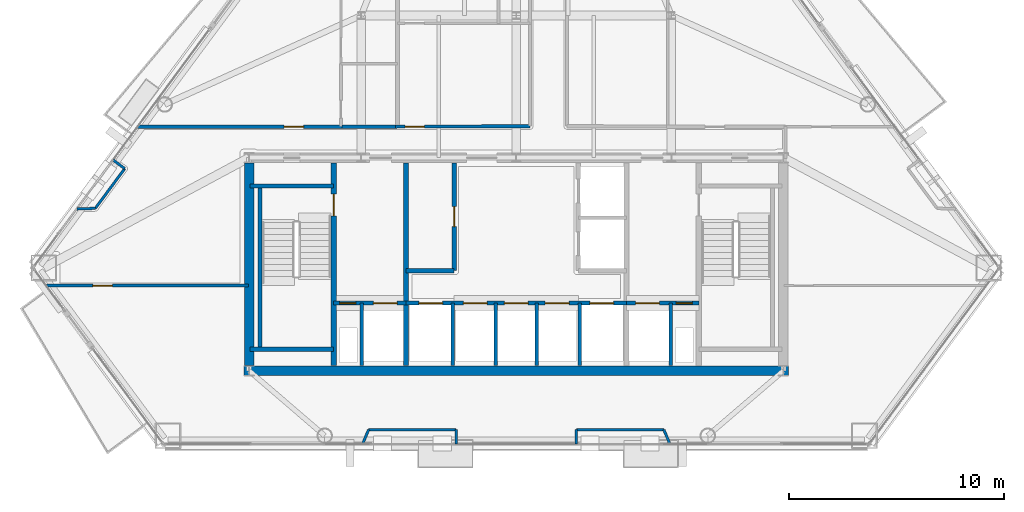
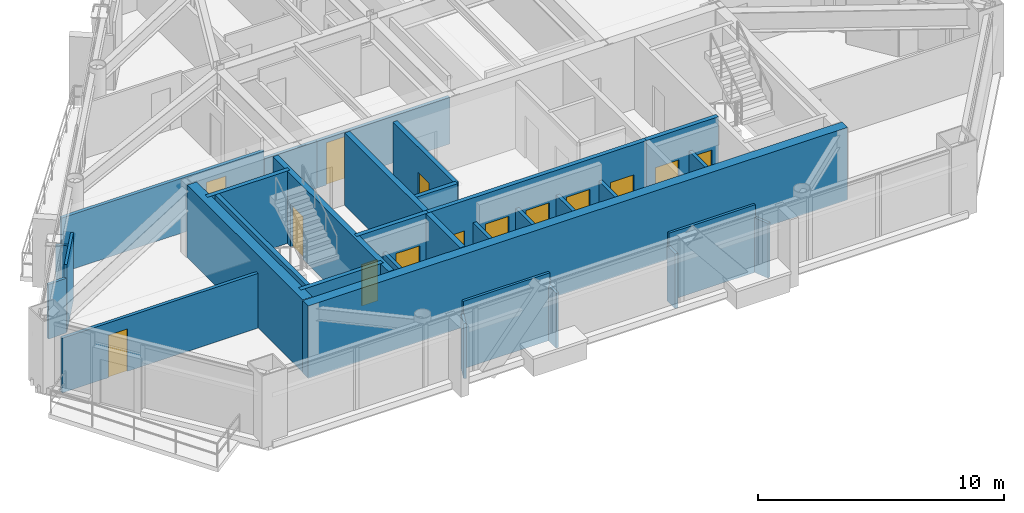
# One storey, part 8 of 13: 31 walls, 14 doors, 14 openings.
"""IFC4 building model written with IfcOpenShell, lengths in metres."""

from ifc_helpers import new_model, si_unit, direction, frame, frame_2d, origin, place, context, subcontext, project, spatial, rectangle, extrude, material, layer, layer_set, type_object, element, fill, save


model = new_model("IFC4")

# Units and contexts
model_context = context("Model", 3, precision=1e-05, world=origin(), true_north=direction((0.0, 1.0)))
body_context = subcontext(model_context, "Body", "Model", "MODEL_VIEW")
ifc_project = project(units=[si_unit("LENGTHUNIT", "METRE"), si_unit("AREAUNIT", "SQUARE_METRE"), si_unit("VOLUMEUNIT", "CUBIC_METRE"), si_unit("PLANEANGLEUNIT", "RADIAN"), si_unit("MASSUNIT", "GRAM", prefix="KILO")], contexts=[model_context])

# Site, building, storey
site_placement = place(None, origin())
site = spatial("IfcSite", under=ifc_project, at=site_placement, CompositionType="ELEMENT")
building_placement = place(site_placement, origin())
building = spatial("IfcBuilding", under=site, at=building_placement, Name="Talgorran Terracotta Tower", CompositionType="ELEMENT")
storey_placement = place(building_placement, frame((0.0, 0.0, 106.800048828125)))
storey = spatial("IfcBuildingStorey", under=building, at=storey_placement, Name="L27", CompositionType="ELEMENT", Elevation=106.800048828125)

# Walls
ifc_material_1 = material(Name="Concrete C50/60", Category="concrete")
ifc_layer_1 = layer(ifc_material_1, 0.199951171875, Name="WT_CORE_200")
ifc_layer_set_1 = layer_set([ifc_layer_1], Name="Concrete C50/60")
wall_type_1 = type_object("IfcWallType", Name="WT_CORE_200", PredefinedType="SOLIDWALL", material=ifc_layer_set_1)
for number, where, z_axis, x_axis, name in (
    (1, (-12.35009765625, -5.52001953125, 0.0), (0.0, 0.0, 1.0), (1.0, 0.0, 0.0), "WL-L27-CW-ST1-N"),
    (2, (-12.35009765625, -13.10009765625, 0.0), (0.0, 0.0, 1.0), (1.0, 0.0, 0.0), "WL-L27-CW-ST1-S"),
):
    element("IfcWall", number, at=place(storey_placement, frame(where, z_axis=z_axis, x_axis=x_axis)), inside=storey, type_object=wall_type_1, Name=name, PredefinedType="SOLIDWALL", context=body_context, shape_type="SweptSolid", body=[
        extrude(rectangle(XDim=3.8701171875, YDim=0.199951171875, at=frame_2d((1.93505859375, 0.0))), origin(), (0.0, 0.0, 1.0), 3.599853515625),
    ])
wall_1_placement = place(storey_placement, frame((-11.89990234375, -13.10009765625, 0.0), z_axis=(0.0, 0.0, 1.0), x_axis=(0.0, 1.0, 0.0)))
element("IfcWall", 3, at=wall_1_placement, inside=storey, type_object=wall_type_1, Name="WL-L27-CW-ST1-W", PredefinedType="SOLIDWALL", context=body_context, shape_type="SweptSolid", body=[
    extrude(rectangle(XDim=7.580078125, YDim=0.199951171875, at=frame_2d((3.7900390625, 0.0))), origin(), (0.0, 0.0, 1.0), 3.599853515625),
])

# Wall, openings, doors
wall_2_placement = place(storey_placement, frame((-8.47998046875, -10.949951171875, 0.0), z_axis=(0.0, 0.0, 1.0), x_axis=(1.0, 0.0, 0.0)))
wall_2 = element("IfcWall", 4, at=wall_2_placement, inside=storey, type_object=wall_type_1, Name="WL-L27-CW-H-SBW", PredefinedType="SOLIDWALL", context=body_context, shape_type="SweptSolid", body=[
    extrude(rectangle(XDim=3.35986328125, YDim=0.199951171875, at=frame_2d((1.679931640625, 0.0))), origin(), (0.0, 0.0, 1.0), 3.599853515625),
])
opening_1_placement = place(wall_2_placement, frame((0.280029296875, 0.0, 0.0)))
opening_1 = element("IfcOpeningElement", 5, at=opening_1_placement, cuts=wall_2, Name="Opening DR-RSW", PredefinedType="OPENING", context=body_context, shape_type="SweptSolid", body=[
    extrude(rectangle(XDim=0.756, YDim=2.054048828125, at=frame_2d((0.375, 1.027099609375))), frame((0.0, 0.10986328125, 0.0), z_axis=(0.0, -1.0, 0.0), x_axis=(1.0, 0.0, 0.0)), (0.0, 0.0, 1.0), 0.219970703125),
])
opening_2_placement = place(wall_2_placement, frame((1.85009765625, 0.0, 0.0)))
opening_2 = element("IfcOpeningElement", 6, at=opening_2_placement, cuts=wall_2, Name="Opening LD-FFL1", PredefinedType="OPENING", context=body_context, shape_type="SweptSolid", body=[
    extrude(rectangle(XDim=1.10609765625, YDim=2.10409765625, at=frame_2d((0.550048828125, 1.052001953125))), frame((0.0, 0.10986328125, 0.0), z_axis=(0.0, -1.0, 0.0), x_axis=(1.0, 0.0, 0.0)), (0.0, 0.0, 1.0), 0.219970703125),
])
ifc_material_2 = material(Name="Brushed Stainless Steel Grade 304", Category="steel")
door_type_1 = type_object("IfcDoorType", Name="DT_LIFT_LD1100", OperationType="DOUBLE_DOOR_SLIDING", PredefinedType="DOOR", material=ifc_material_2)
door_1_placement = place(opening_2_placement, origin())
door_1 = element("IfcDoor", 7, at=door_1_placement, inside=storey, type_object=door_type_1, Name="L27 Lift Landing Door LD-FFL1", OperationType="DOUBLE_DOOR_SLIDING", OverallHeight=2.10009765625, OverallWidth=1.10009765625, PredefinedType="DOOR", context=body_context, shape_type="SweptSolid", body=[
    extrude(rectangle(XDim=1.10009765625, YDim=2.10009765625, at=frame_2d((0.550048828125, 1.050048828125))), frame((0.0, 0.02490234375, 0.0), z_axis=(0.0, -1.0, 0.0), x_axis=(1.0, 0.0, 0.0)), (0.0, 0.0, 1.0), 0.050048828125),
])
fill(opening_2, door_1)
ifc_material_3 = material(Name="Fire-Rated Pressed Steel", Category="steel")
door_type_2 = type_object("IfcDoorType", Name="DT_RISER_750", OperationType="NOTDEFINED", PredefinedType="DOOR", material=ifc_material_3)
door_2_placement = place(opening_1_placement, origin())
door_2 = element("IfcDoor", 8, at=door_2_placement, inside=storey, type_object=door_type_2, Name="DR-RSW", OperationType="SINGLE_SWING_LEFT", OverallHeight=2.050048828125, OverallWidth=0.75, PredefinedType="DOOR", context=body_context, shape_type="SweptSolid", body=[
    extrude(rectangle(XDim=0.75, YDim=2.050048828125, at=frame_2d((0.375, 1.02490234375))), frame((0.0, 0.02490234375, 0.0), z_axis=(0.0, -1.0, 0.0), x_axis=(1.0, 0.0, 0.0)), (0.0, 0.0, 1.0), 0.050048828125),
])
fill(opening_1, door_2)

wall_3_placement = place(storey_placement, frame((-5.1201171875, -10.949951171875, 0.0), z_axis=(0.0, 0.0, 1.0), x_axis=(1.0, 0.0, 0.0)))
wall_3 = element("IfcWall", 9, at=wall_3_placement, inside=storey, type_object=wall_type_1, Name="WL-L27-CW-H-SBC", PredefinedType="SOLIDWALL", context=body_context, shape_type="SweptSolid", body=[
    extrude(rectangle(XDim=10.240234375, YDim=0.199951171875, at=frame_2d((5.1201171875, 0.0))), origin(), (0.0, 0.0, 1.0), 3.599853515625),
])
opening_3_placement = place(wall_3_placement, frame((0.60009765625, 0.0, 0.0)))
opening_3 = element("IfcOpeningElement", 10, at=opening_3_placement, cuts=wall_3, Name="Opening LD-OB1", PredefinedType="OPENING", context=body_context, shape_type="SweptSolid", body=[
    extrude(rectangle(XDim=1.10609765625, YDim=2.10409765625, at=frame_2d((0.550048828125, 1.052001953125))), frame((0.0, 0.10986328125, 0.0), z_axis=(0.0, -1.0, 0.0), x_axis=(1.0, 0.0, 0.0)), (0.0, 0.0, 1.0), 0.219970703125),
])
opening_4_placement = place(wall_3_placement, frame((2.669921875, 0.0, 0.0)))
opening_4 = element("IfcOpeningElement", 11, at=opening_4_placement, cuts=wall_3, Name="Opening LD-PLH1", PredefinedType="OPENING", context=body_context, shape_type="SweptSolid", body=[
    extrude(rectangle(XDim=1.10609765625, YDim=2.10409765625, at=frame_2d((0.550048828125, 1.052001953125))), frame((0.0, 0.10986328125, 0.0), z_axis=(0.0, -1.0, 0.0), x_axis=(1.0, 0.0, 0.0)), (0.0, 0.0, 1.0), 0.219970703125),
])
opening_5_placement = place(wall_3_placement, frame((4.570068359375, 0.0, 0.0)))
opening_5 = element("IfcOpeningElement", 12, at=opening_5_placement, cuts=wall_3, Name="Opening LD-PLH2", PredefinedType="OPENING", context=body_context, shape_type="SweptSolid", body=[
    extrude(rectangle(XDim=1.10609765625, YDim=2.10409765625, at=frame_2d((0.550048828125, 1.052001953125))), frame((0.0, 0.10986328125, 0.0), z_axis=(0.0, -1.0, 0.0), x_axis=(1.0, 0.0, 0.0)), (0.0, 0.0, 1.0), 0.219970703125),
])
opening_6_placement = place(wall_3_placement, frame((6.469970703125, 0.0, 0.0)))
opening_6 = element("IfcOpeningElement", 13, at=opening_6_placement, cuts=wall_3, Name="Opening LD-PLH3", PredefinedType="OPENING", context=body_context, shape_type="SweptSolid", body=[
    extrude(rectangle(XDim=1.10609765625, YDim=2.10409765625, at=frame_2d((0.550048828125, 1.052001953125))), frame((0.0, 0.10986328125, 0.0), z_axis=(0.0, -1.0, 0.0), x_axis=(1.0, 0.0, 0.0)), (0.0, 0.0, 1.0), 0.219970703125),
])
opening_7_placement = place(wall_3_placement, frame((8.5400390625, 0.0, 0.0)))
opening_7 = element("IfcOpeningElement", 14, at=opening_7_placement, cuts=wall_3, Name="Opening LD-SVL1", PredefinedType="OPENING", context=body_context, shape_type="SweptSolid", body=[
    extrude(rectangle(XDim=1.10609765625, YDim=2.10409765625, at=frame_2d((0.550048828125, 1.052001953125))), frame((0.0, 0.10986328125, 0.0), z_axis=(0.0, -1.0, 0.0), x_axis=(1.0, 0.0, 0.0)), (0.0, 0.0, 1.0), 0.219970703125),
])
door_3_placement = place(opening_3_placement, origin())
door_3 = element("IfcDoor", 15, at=door_3_placement, inside=storey, type_object=door_type_1, Name="L27 Lift Landing Door LD-OB1", OperationType="DOUBLE_DOOR_SLIDING", OverallHeight=2.10009765625, OverallWidth=1.10009765625, PredefinedType="DOOR", context=body_context, shape_type="SweptSolid", body=[
    extrude(rectangle(XDim=1.10009765625, YDim=2.10009765625, at=frame_2d((0.550048828125, 1.050048828125))), frame((0.0, 0.02490234375, 0.0), z_axis=(0.0, -1.0, 0.0), x_axis=(1.0, 0.0, 0.0)), (0.0, 0.0, 1.0), 0.050048828125),
])
fill(opening_3, door_3)
door_4_placement = place(opening_4_placement, origin())
door_4 = element("IfcDoor", 16, at=door_4_placement, inside=storey, type_object=door_type_1, Name="L27 Lift Landing Door LD-PLH1", OperationType="DOUBLE_DOOR_SLIDING", OverallHeight=2.10009765625, OverallWidth=1.10009765625, PredefinedType="DOOR", context=body_context, shape_type="SweptSolid", body=[
    extrude(rectangle(XDim=1.10009765625, YDim=2.10009765625, at=frame_2d((0.550048828125, 1.050048828125))), frame((0.0, 0.02490234375, 0.0), z_axis=(0.0, -1.0, 0.0), x_axis=(1.0, 0.0, 0.0)), (0.0, 0.0, 1.0), 0.050048828125),
])
fill(opening_4, door_4)
door_5_placement = place(opening_5_placement, origin())
door_5 = element("IfcDoor", 17, at=door_5_placement, inside=storey, type_object=door_type_1, Name="L27 Lift Landing Door LD-PLH2", OperationType="DOUBLE_DOOR_SLIDING", OverallHeight=2.10009765625, OverallWidth=1.10009765625, PredefinedType="DOOR", context=body_context, shape_type="SweptSolid", body=[
    extrude(rectangle(XDim=1.10009765625, YDim=2.10009765625, at=frame_2d((0.550048828125, 1.050048828125))), frame((0.0, 0.02490234375, 0.0), z_axis=(0.0, -1.0, 0.0), x_axis=(1.0, 0.0, 0.0)), (0.0, 0.0, 1.0), 0.050048828125),
])
fill(opening_5, door_5)
door_6_placement = place(opening_6_placement, origin())
door_6 = element("IfcDoor", 18, at=door_6_placement, inside=storey, type_object=door_type_1, Name="L27 Lift Landing Door LD-PLH3", OperationType="DOUBLE_DOOR_SLIDING", OverallHeight=2.10009765625, OverallWidth=1.10009765625, PredefinedType="DOOR", context=body_context, shape_type="SweptSolid", body=[
    extrude(rectangle(XDim=1.10009765625, YDim=2.10009765625, at=frame_2d((0.550048828125, 1.050048828125))), frame((0.0, 0.02490234375, 0.0), z_axis=(0.0, -1.0, 0.0), x_axis=(1.0, 0.0, 0.0)), (0.0, 0.0, 1.0), 0.050048828125),
])
fill(opening_6, door_6)
door_7_placement = place(opening_7_placement, origin())
door_7 = element("IfcDoor", 19, at=door_7_placement, inside=storey, type_object=door_type_1, Name="L27 Lift Landing Door LD-SVL1", OperationType="DOUBLE_DOOR_SLIDING", OverallHeight=2.10009765625, OverallWidth=1.10009765625, PredefinedType="DOOR", context=body_context, shape_type="SweptSolid", body=[
    extrude(rectangle(XDim=1.10009765625, YDim=2.10009765625, at=frame_2d((0.550048828125, 1.050048828125))), frame((0.0, 0.02490234375, 0.0), z_axis=(0.0, -1.0, 0.0), x_axis=(1.0, 0.0, 0.0)), (0.0, 0.0, 1.0), 0.050048828125),
])
fill(opening_7, door_7)

wall_4_placement = place(storey_placement, frame((5.1201171875, -10.949951171875, 0.0), z_axis=(0.0, 0.0, 1.0), x_axis=(1.0, 0.0, 0.0)))
wall_4 = element("IfcWall", 20, at=wall_4_placement, inside=storey, type_object=wall_type_1, Name="WL-L27-CW-H-SBE", PredefinedType="SOLIDWALL", context=body_context, shape_type="SweptSolid", body=[
    extrude(rectangle(XDim=3.35986328125, YDim=0.199951171875, at=frame_2d((1.679931640625, 0.0))), origin(), (0.0, 0.0, 1.0), 3.599853515625),
])
opening_8_placement = place(wall_4_placement, frame((0.419921875, 0.0, 0.0)))
opening_8 = element("IfcOpeningElement", 21, at=opening_8_placement, cuts=wall_4, Name="Opening LD-FFL2", PredefinedType="OPENING", context=body_context, shape_type="SweptSolid", body=[
    extrude(rectangle(XDim=1.10609765625, YDim=2.10409765625, at=frame_2d((0.550048828125, 1.052001953125))), frame((0.0, 0.10986328125, 0.0), z_axis=(0.0, -1.0, 0.0), x_axis=(1.0, 0.0, 0.0)), (0.0, 0.0, 1.0), 0.219970703125),
])
opening_9_placement = place(wall_4_placement, frame((2.300048828125, 0.0, 0.0)))
opening_9 = element("IfcOpeningElement", 22, at=opening_9_placement, cuts=wall_4, Name="Opening DR-RSE", PredefinedType="OPENING", context=body_context, shape_type="SweptSolid", body=[
    extrude(rectangle(XDim=0.756, YDim=2.054048828125, at=frame_2d((0.375, 1.027099609375))), frame((0.0, 0.10986328125, 0.0), z_axis=(0.0, -1.0, 0.0), x_axis=(1.0, 0.0, 0.0)), (0.0, 0.0, 1.0), 0.219970703125),
])
door_8_placement = place(opening_8_placement, origin())
door_8 = element("IfcDoor", 23, at=door_8_placement, inside=storey, type_object=door_type_1, Name="L27 Lift Landing Door LD-FFL2", OperationType="DOUBLE_DOOR_SLIDING", OverallHeight=2.10009765625, OverallWidth=1.10009765625, PredefinedType="DOOR", context=body_context, shape_type="SweptSolid", body=[
    extrude(rectangle(XDim=1.10009765625, YDim=2.10009765625, at=frame_2d((0.550048828125, 1.050048828125))), frame((0.0, 0.02490234375, 0.0), z_axis=(0.0, -1.0, 0.0), x_axis=(1.0, 0.0, 0.0)), (0.0, 0.0, 1.0), 0.050048828125),
])
fill(opening_8, door_8)
door_9_placement = place(opening_9_placement, origin())
door_9 = element("IfcDoor", 24, at=door_9_placement, inside=storey, type_object=door_type_2, Name="DR-RSE", OperationType="SINGLE_SWING_RIGHT", OverallHeight=2.050048828125, OverallWidth=0.75, PredefinedType="DOOR", context=body_context, shape_type="SweptSolid", body=[
    extrude(rectangle(XDim=0.75, YDim=2.050048828125, at=frame_2d((0.375, 1.02490234375))), frame((0.0, 0.02490234375, 0.0), z_axis=(0.0, -1.0, 0.0), x_axis=(1.0, 0.0, 0.0)), (0.0, 0.0, 1.0), 0.050048828125),
])
fill(opening_9, door_9)

# Wall, opening, door
wall_5_placement = place(storey_placement, frame((-2.8798828125, -9.449951171875, 0.0), z_axis=(0.0, 0.0, 1.0), x_axis=(0.0, 1.0, 0.0)))
wall_5 = element("IfcWall", 25, at=wall_5_placement, inside=storey, type_object=wall_type_1, Name="WL-L27-CW-V-W3", PredefinedType="SOLIDWALL", context=body_context, shape_type="SweptSolid", body=[
    extrude(rectangle(XDim=5.0, YDim=0.199951171875, at=frame_2d((2.5, 0.0))), origin(), (0.0, 0.0, 1.0), 3.349853515625),
])
opening_10_placement = place(wall_5_placement, frame((2.050048828125, 0.0, 0.0)))
opening_10 = element("IfcOpeningElement", 26, at=opening_10_placement, cuts=wall_5, Name="Opening DR-FRPLL-A", PredefinedType="OPENING", context=body_context, shape_type="SweptSolid", body=[
    extrude(rectangle(XDim=0.925921875, YDim=2.10409765625, at=frame_2d((0.4599609375, 1.052001953125))), frame((0.0, 0.10986328125, 0.0), z_axis=(0.0, -1.0, 0.0), x_axis=(1.0, 0.0, 0.0)), (0.0, 0.0, 1.0), 0.219970703125),
])
ifc_material_4 = material(Name="Solid-Core Painted Timber", Category="wood")
door_type_3 = type_object("IfcDoorType", Name="DT_INT_920", OperationType="NOTDEFINED", PredefinedType="DOOR", material=ifc_material_4)
door_10_placement = place(opening_10_placement, origin())
door_10 = element("IfcDoor", 27, at=door_10_placement, inside=storey, type_object=door_type_3, Name="DR-FRPLL-A", OperationType="SINGLE_SWING_LEFT", OverallHeight=2.10009765625, OverallWidth=0.919921875, PredefinedType="DOOR", context=body_context, shape_type="SweptSolid", body=[
    extrude(rectangle(XDim=0.919921875, YDim=2.10009765625, at=frame_2d((0.4599609375, 1.050048828125))), frame((0.0, 0.02490234375, 0.0), z_axis=(0.0, -1.0, 0.0), x_axis=(1.0, 0.0, 0.0)), (0.0, 0.0, 1.0), 0.050048828125),
])
fill(opening_10, door_10)

# Wall
wall_6_placement = place(storey_placement, frame((-5.1201171875, -9.449951171875, 0.0), z_axis=(0.0, 0.0, 1.0), x_axis=(1.0, 0.0, 0.0)))
element("IfcWall", 28, at=wall_6_placement, inside=storey, type_object=wall_type_1, Name="WL-L27-CW-H-W4", PredefinedType="SOLIDWALL", context=body_context, shape_type="SweptSolid", body=[
    extrude(rectangle(XDim=2.240234375, YDim=0.199951171875, at=frame_2d((1.1201171875, 0.0))), origin(), (0.0, 0.0, 1.0), 3.349853515625),
])

# Wall, opening, door
ifc_layer_2 = layer(ifc_material_1, 0.25, Name="WT_CORE_250")
ifc_layer_set_2 = layer_set([ifc_layer_2], Name="Concrete C50/60")
wall_type_2 = type_object("IfcWallType", Name="WT_CORE_250", PredefinedType="SHEAR", material=ifc_layer_set_2)
wall_7_placement = place(storey_placement, frame((-8.47998046875, -13.85009765625, 0.0), z_axis=(0.0, 0.0, 1.0), x_axis=(0.0, 1.0, 0.0)))
wall_7 = element("IfcWall", 29, at=wall_7_placement, inside=storey, type_object=wall_type_2, Name="WL-L27-CW-V-W1", PredefinedType="SHEAR", context=body_context, shape_type="SweptSolid", body=[
    extrude(rectangle(XDim=9.400146484375, YDim=0.25, at=frame_2d((4.7001953125, 0.0))), origin(), (0.0, 0.0, 1.0), 3.599853515625),
])
opening_11_placement = place(wall_7_placement, frame((6.949951171875, 0.0, 0.0)))
opening_11 = element("IfcOpeningElement", 30, at=opening_11_placement, cuts=wall_7, Name="Opening DR-ST01", PredefinedType="OPENING", context=body_context, shape_type="SweptSolid", body=[
    extrude(rectangle(XDim=1.006, YDim=2.10409765625, at=frame_2d((0.5, 1.052001953125))), frame((0.0, 0.135009765625, 0.0), z_axis=(0.0, -1.0, 0.0), x_axis=(1.0, 0.0, 0.0)), (0.0, 0.0, 1.0), 0.27001953125),
])
door_type_4 = type_object("IfcDoorType", Name="DT_FIRE_1000", OperationType="NOTDEFINED", PredefinedType="DOOR", material=ifc_material_3)
door_11_placement = place(opening_11_placement, origin())
door_11 = element("IfcDoor", 31, at=door_11_placement, inside=storey, type_object=door_type_4, Name="DR-ST01", OperationType="SINGLE_SWING_LEFT", OverallHeight=2.10009765625, OverallWidth=1.0, PredefinedType="DOOR", context=body_context, shape_type="SweptSolid", body=[
    extrude(rectangle(XDim=1.0, YDim=2.10009765625, at=frame_2d((0.5, 1.050048828125))), frame((0.0, 0.02490234375, 0.0), z_axis=(0.0, -1.0, 0.0), x_axis=(1.0, 0.0, 0.0)), (0.0, 0.0, 1.0), 0.050048828125),
])
fill(opening_11, door_11)

# Walls
wall_8_placement = place(storey_placement, frame((-5.1201171875, -13.85009765625, 0.0), z_axis=(0.0, 0.0, 1.0), x_axis=(0.0, 1.0, 0.0)))
element("IfcWall", 32, at=wall_8_placement, inside=storey, type_object=wall_type_2, Name="WL-L27-CW-V-W2", PredefinedType="SHEAR", context=body_context, shape_type="SweptSolid", body=[
    extrude(rectangle(XDim=9.400146484375, YDim=0.25, at=frame_2d((4.7001953125, 0.0))), origin(), (0.0, 0.0, 1.0), 3.599853515625),
])
ifc_material_5 = material(Name="Concrete C65/80", Category="concrete")
ifc_layer_3 = layer(ifc_material_5, 0.449951171875, Name="WT_CORE_EXT")
ifc_layer_set_3 = layer_set([ifc_layer_3], Name="Concrete C65/80")
wall_type_3 = type_object("IfcWallType", Name="WT_CORE_EXT", PredefinedType="SHEAR", material=ifc_layer_set_3)
wall_9_placement = place(storey_placement, frame((-12.64990234375, -14.10009765625, 0.0), z_axis=(0.0, 0.0, 1.0), x_axis=(1.0, 0.0, 0.0)))
element("IfcWall", 33, at=wall_9_placement, inside=storey, type_object=wall_type_3, Name="WL-L27-CW-OUT-S", PredefinedType="SHEAR", context=body_context, shape_type="SweptSolid", body=[
    extrude(rectangle(XDim=25.2998046875, YDim=0.449951171875, at=frame_2d((12.64990234375, 0.0))), origin(), (0.0, 0.0, 1.0), 3.599853515625),
])
wall_10_placement = place(storey_placement, frame((-12.39990234375, -13.85009765625, 0.0), z_axis=(0.0, 0.0, 1.0), x_axis=(0.0, 1.0, 0.0)))
element("IfcWall", 34, at=wall_10_placement, inside=storey, type_object=wall_type_3, Name="WL-L27-CW-OUT-W", PredefinedType="SHEAR", context=body_context, shape_type="SweptSolid", body=[
    extrude(rectangle(XDim=9.400146484375, YDim=0.449951171875, at=frame_2d((4.7001953125, 0.0))), origin(), (0.0, 0.0, 1.0), 3.599853515625),
])

# Wall, opening, door
ifc_material_6 = material(Name="Fire-Rated Steel Stud Plasterboard", Category="steel")
ifc_layer_4 = layer(ifc_material_6, 0.14990234375, Name="WT_FIRE_150")
ifc_layer_set_4 = layer_set([ifc_layer_4], Name="Fire-Rated Steel Stud Plasterboard")
wall_type_4 = type_object("IfcWallType", Name="WT_FIRE_150", PredefinedType="PARTITIONING", material=ifc_layer_set_4)
wall_11_placement = place(storey_placement, frame((-17.579833984375, -2.760009765625, 0.0), z_axis=(0.0, 0.0, 1.0), x_axis=(1.0, 0.0, 0.0)))
wall_11 = element("IfcWall", 35, at=wall_11_placement, inside=storey, type_object=wall_type_4, Name="WL-L27-W-L27-R02", PredefinedType="PARTITIONING", context=body_context, shape_type="SweptSolid", body=[
    extrude(rectangle(XDim=9.499755859375, YDim=0.14990234375, at=frame_2d((4.75, 0.0))), origin(), (0.0, 0.0, 1.0), 2.71337890625),
])
opening_12_placement = place(wall_11_placement, frame((6.803955078125, 0.0, 0.0)))
opening_12 = element("IfcOpeningElement", 36, at=opening_12_placement, cuts=wall_11, Name="Opening DR-L27-R03", PredefinedType="OPENING", context=body_context, shape_type="SweptSolid", body=[
    extrude(rectangle(XDim=0.90590234375, YDim=2.10409765625, at=frame_2d((0.449951171875, 1.052001953125))), frame((0.0, 0.0849609375, 0.0), z_axis=(0.0, -1.0, 0.0), x_axis=(1.0, 0.0, 0.0)), (0.0, 0.0, 1.0), 0.169921875),
])
ifc_material_7 = material(Name="Fire-Rated Timber Core", Category="wood")
door_type_5 = type_object("IfcDoorType", Name="DT_FIRE_900", OperationType="NOTDEFINED", PredefinedType="DOOR", material=ifc_material_7)
door_12_placement = place(opening_12_placement, origin())
door_12 = element("IfcDoor", 37, at=door_12_placement, inside=storey, type_object=door_type_5, Name="DR-L27-R03", OperationType="SINGLE_SWING_LEFT", OverallHeight=2.10009765625, OverallWidth=0.89990234375, PredefinedType="DOOR", context=body_context, shape_type="SweptSolid", body=[
    extrude(rectangle(XDim=0.89990234375, YDim=2.10009765625, at=frame_2d((0.449951171875, 1.050048828125))), frame((0.0, 0.02490234375, 0.0), z_axis=(0.0, -1.0, 0.0), x_axis=(1.0, 0.0, 0.0)), (0.0, 0.0, 1.0), 0.050048828125),
])
fill(opening_12, door_12)

wall_12_placement = place(storey_placement, frame((-21.82177734375, -10.139892578125, 0.0), z_axis=(0.0, 0.0, 1.0), x_axis=(1.0, 0.0, 0.0)))
wall_12 = element("IfcWall", 38, at=wall_12_placement, inside=storey, type_object=wall_type_4, Name="WL-L27-W-L27-R12", PredefinedType="PARTITIONING", context=body_context, shape_type="SweptSolid", body=[
    extrude(rectangle(XDim=9.3818359375, YDim=0.14990234375, at=frame_2d((4.69091796875, 0.0))), origin(), (0.0, 0.0, 1.0), 2.71337890625),
])
opening_13_placement = place(wall_12_placement, frame((2.170166015625, 0.0, 0.0)))
opening_13 = element("IfcOpeningElement", 39, at=opening_13_placement, cuts=wall_12, Name="Opening DR-L27-R12", PredefinedType="OPENING", context=body_context, shape_type="SweptSolid", body=[
    extrude(rectangle(XDim=0.90590234375, YDim=2.10409765625, at=frame_2d((0.449951171875, 1.052001953125))), frame((0.0, 0.0849609375, 0.0), z_axis=(0.0, -1.0, 0.0), x_axis=(1.0, 0.0, 0.0)), (0.0, 0.0, 1.0), 0.169921875),
])
door_13_placement = place(opening_13_placement, origin())
door_13 = element("IfcDoor", 40, at=door_13_placement, inside=storey, type_object=door_type_5, Name="DR-L27-R12", OperationType="SINGLE_SWING_RIGHT", OverallHeight=2.10009765625, OverallWidth=0.89990234375, PredefinedType="DOOR", context=body_context, shape_type="SweptSolid", body=[
    extrude(rectangle(XDim=0.89990234375, YDim=2.10009765625, at=frame_2d((0.449951171875, 1.050048828125))), frame((0.0, 0.02490234375, 0.0), z_axis=(0.0, -1.0, 0.0), x_axis=(1.0, 0.0, 0.0)), (0.0, 0.0, 1.0), 0.050048828125),
])
fill(opening_13, door_13)

wall_13_placement = place(storey_placement, frame((-5.60009765625, -2.760009765625, 0.0), z_axis=(0.0, 0.0, 1.0), x_axis=(0.999994853563, 0.003208246723, 0.0)))
wall_13 = element("IfcWall", 41, at=wall_13_placement, inside=storey, type_object=wall_type_4, Name="WL-L27-W-L27-R03", PredefinedType="PARTITIONING", context=body_context, shape_type="SweptSolid", body=[
    extrude(rectangle(XDim=6.239990234375, YDim=0.14990234375, at=frame_2d((3.1201171875, 0.0))), origin(), (0.0, 0.0, 1.0), 2.324951171875),
])
opening_14_placement = place(wall_13_placement, frame((0.438720703125, 0.0, 0.0)))
opening_14 = element("IfcOpeningElement", 42, at=opening_14_placement, cuts=wall_13, Name="Opening DR-L27-R05", PredefinedType="OPENING", context=body_context, shape_type="SweptSolid", body=[
    extrude(rectangle(XDim=0.90590234375, YDim=2.10409765625, at=frame_2d((0.449951171875, 1.052001953125))), frame((0.0, 0.0849609375, 0.0), z_axis=(0.0, -1.0, 0.0), x_axis=(1.0, 0.0, 0.0)), (0.0, 0.0, 1.0), 0.169921875),
])
door_14_placement = place(opening_14_placement, origin())
door_14 = element("IfcDoor", 43, at=door_14_placement, inside=storey, type_object=door_type_5, Name="DR-L27-R05", OperationType="SINGLE_SWING_LEFT", OverallHeight=2.10009765625, OverallWidth=0.89990234375, PredefinedType="DOOR", context=body_context, shape_type="SweptSolid", body=[
    extrude(rectangle(XDim=0.89990234375, YDim=2.10009765625, at=frame_2d((0.449951171875, 1.050048828125))), frame((0.0, 0.02490234375, 0.0), z_axis=(0.0, -1.0, 0.0), x_axis=(1.0, 0.0, 0.0)), (0.0, 0.0, 1.0), 0.050048828125),
])
fill(opening_14, door_14)

# Walls
wall_14_placement = place(storey_placement, frame((-8.077880859375, -2.760009765625, 0.0), z_axis=(0.0, 0.0, 1.0), x_axis=(1.0, 0.0, 0.0)))
element("IfcWall", 44, at=wall_14_placement, inside=storey, type_object=wall_type_4, Name="WL-L27-W-L27-R01", PredefinedType="PARTITIONING", context=body_context, shape_type="SweptSolid", body=[
    extrude(rectangle(XDim=2.475830078125, YDim=0.14990234375, at=frame_2d((1.23779296875, 0.0))), origin(), (0.0, 0.0, 1.0), 2.324951171875),
])
ifc_material_8 = material(Name="Insulated Steel Stud Plasterboard", Category="steel")
ifc_layer_5 = layer(ifc_material_8, 0.1201171875, Name="WT_PART_120")
ifc_layer_set_5 = layer_set([ifc_layer_5], Name="Insulated Steel Stud Plasterboard")
wall_type_5 = type_object("IfcWallType", Name="WT_PART_120", PredefinedType="PARTITIONING", material=ifc_layer_set_5)
for number, where, z_axis, x_axis, name in (
    (45, (-6.852294921875, -16.827880859375, 0.0), (0.0, 0.0, 1.0), (1.0, 0.0, 0.0), "WL-L27-BW-L27-01"),
    (46, (2.793212890625, -16.827880859375, 0.0), (0.0, 0.0, 1.0), (1.0, 0.0, 0.0), "WL-L27-BW-L27-06"),
):
    element("IfcWall", number, at=place(storey_placement, frame(where, z_axis=z_axis, x_axis=x_axis)), inside=storey, type_object=wall_type_5, Name=name, PredefinedType="PARTITIONING", context=body_context, shape_type="SweptSolid", body=[
        extrude(rectangle(XDim=4.05908203125, YDim=0.1201171875, at=frame_2d((2.029541015625, 0.0))), origin(), (0.0, 0.0, 1.0), 3.349853515625),
    ])
wall_15_placement = place(storey_placement, frame((-18.17578125, -4.708251953125, 0.0), z_axis=(0.0, 0.0, 1.0), x_axis=(-0.594914508596, -0.803788981924, 0.0)))
element("IfcWall", 47, at=wall_15_placement, inside=storey, type_object=wall_type_5, Name="WL-L27-BW-L27-08", PredefinedType="PARTITIONING", context=body_context, shape_type="SweptSolid", body=[
    extrude(rectangle(XDim=2.29443359375, YDim=0.1201171875, at=frame_2d((1.147216796875, 0.0))), origin(), (0.0, 0.0, 1.0), 3.349853515625),
])
wall_16_placement = place(storey_placement, frame((-19.540771484375, -6.552490234375, 0.0), z_axis=(0.0, 0.0, 1.0), x_axis=(-0.999345316153, -0.036179263156, 0.0)))
element("IfcWall", 48, at=wall_16_placement, inside=storey, type_object=wall_type_5, Name="WL-L27-BW-L27-09", PredefinedType="PARTITIONING", context=body_context, shape_type="SweptSolid", body=[
    extrude(rectangle(XDim=0.85693359375, YDim=0.1201171875, at=frame_2d((0.428466796875, 0.0))), origin(), (0.0, 0.0, 1.0), 2.71337890625),
])
for number, where, z_axis, x_axis, name in (
    (49, (-7.135498046875, -17.497802734375, 0.0), (0.0, 0.0, 1.0), (0.389377166864, 0.921078401617, 0.0), "WL-L27-BW-L27-03"),
    (50, (6.852294921875, -16.827880859375, 0.0), (0.0, 0.0, 1.0), (0.389377166864, -0.921078401617, 0.0), "WL-L27-BW-L27-04"),
):
    element("IfcWall", number, at=place(storey_placement, frame(where, z_axis=z_axis, x_axis=x_axis)), inside=storey, type_object=wall_type_5, Name=name, PredefinedType="PARTITIONING", context=body_context, shape_type="SweptSolid", body=[
        extrude(rectangle(XDim=0.727294921875, YDim=0.1201171875, at=frame_2d((0.36376953125, 0.0))), origin(), (0.0, 0.0, 1.0), 2.71337890625),
    ])
wall_17_placement = place(storey_placement, frame((-18.71435546875, -4.3095703125, 0.0), z_axis=(0.0, 0.0, 1.0), x_axis=(0.803744328022, -0.594974835748, 0.0)))
element("IfcWall", 51, at=wall_17_placement, inside=storey, type_object=wall_type_5, Name="WL-L27-BW-L27-07", PredefinedType="PARTITIONING", context=body_context, shape_type="SweptSolid", body=[
    extrude(rectangle(XDim=0.670166015625, YDim=0.1201171875, at=frame_2d((0.3349609375, 0.0))), origin(), (0.0, 0.0, 1.0), 2.71337890625),
])
for number, where, z_axis, x_axis, name in (
    (52, (-2.793212890625, -16.827880859375, 0.0), (0.0, 0.0, 1.0), (0.0, -1.0, 0.0), "WL-L27-BW-L27-02"),
    (53, (2.793212890625, -17.497802734375, 0.0), (0.0, 0.0, 1.0), (0.0, 1.0, 0.0), "WL-L27-BW-L27-05"),
):
    element("IfcWall", number, at=place(storey_placement, frame(where, z_axis=z_axis, x_axis=x_axis)), inside=storey, type_object=wall_type_5, Name=name, PredefinedType="PARTITIONING", context=body_context, shape_type="SweptSolid", body=[
        extrude(rectangle(XDim=0.669921875, YDim=0.1201171875, at=frame_2d((0.3349609375, 0.0))), origin(), (0.0, 0.0, 1.0), 2.71337890625),
    ])
ifc_material_9 = material(Name="Fire-Rated Shaftwall")
ifc_layer_6 = layer(ifc_material_9, 0.159912109375, Name="WT_PART_150")
ifc_layer_set_6 = layer_set([ifc_layer_6], Name="Fire-Rated Shaftwall")
wall_type_6 = type_object("IfcWallType", Name="WT_PART_150", PredefinedType="PARTITIONING", material=ifc_layer_set_6)
for number, where, z_axis, x_axis, name in (
    (54, (-7.179931640625, -13.85009765625, 0.0), (0.0, 0.0, 1.0), (0.0, 1.0, 0.0), "WL-L27-CW-RSW"),
    (55, (7.179931640625, -13.85009765625, 0.0), (0.0, 0.0, 1.0), (0.0, 1.0, 0.0), "WL-L27-CW-RSE"),
    (56, (-2.949951171875, -13.85009765625, 0.0), (0.0, 0.0, 1.0), (0.0, 1.0, 0.0), "WL-L27-CW-OB-E"),
    (57, (2.949951171875, -13.85009765625, 0.0), (0.0, 0.0, 1.0), (0.0, 1.0, 0.0), "WL-L27-CW-SV-W"),
    (58, (-0.949951171875, -13.85009765625, 0.0), (0.0, 0.0, 1.0), (0.0, 1.0, 0.0), "WL-L27-CW-PLH-D1"),
    (59, (0.949951171875, -13.85009765625, 0.0), (0.0, 0.0, 1.0), (0.0, 1.0, 0.0), "WL-L27-CW-PLH-D2"),
):
    element("IfcWall", number, at=place(storey_placement, frame(where, z_axis=z_axis, x_axis=x_axis)), inside=storey, type_object=wall_type_6, Name=name, PredefinedType="PARTITIONING", context=body_context, shape_type="SweptSolid", body=[
        extrude(rectangle(XDim=2.900146484375, YDim=0.159912109375, at=frame_2d((1.4501953125, 0.0))), origin(), (0.0, 0.0, 1.0), 2.375),
    ])

save(model, "model.ifc")
